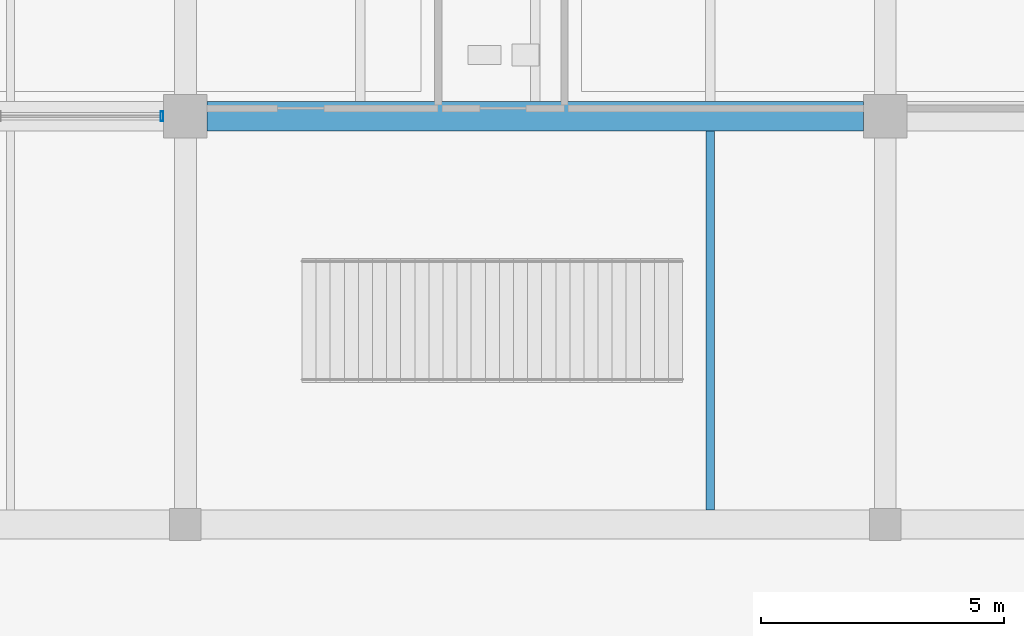
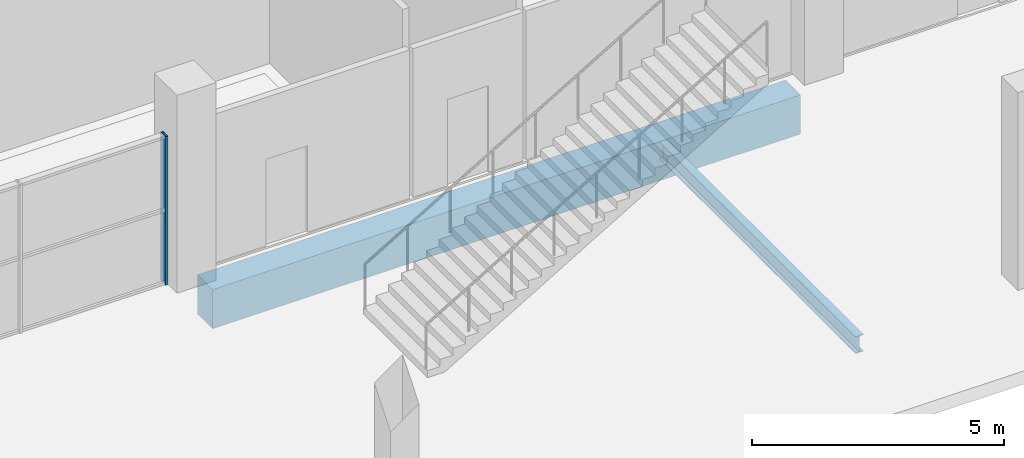
# One storey, part 53 of 130: 2 beams, 1 member, 1 element without a shape of its own.
"""IFC4 building model written with IfcOpenShell, lengths in metres."""

from ifc_helpers import new_model, si_unit, direction, frame, origin, origin_2d, place, context, subcontext, project, spatial, rectangle, hollow_rectangle, i_section, extrude, material, material_profile, profile_set, type_object, element, aggregate, save


model = new_model("IFC4")

# Units and contexts
model_context = context("Model", 3, precision=1e-05, world=origin(), true_north=direction((0.0, 1.0)))
body_context = subcontext(model_context, "Body", "Model", "MODEL_VIEW")
ifc_project = project(units=[si_unit("LENGTHUNIT", "METRE"), si_unit("AREAUNIT", "SQUARE_METRE"), si_unit("VOLUMEUNIT", "CUBIC_METRE"), si_unit("PLANEANGLEUNIT", "RADIAN"), si_unit("MASSUNIT", "GRAM", prefix="KILO"), si_unit("THERMODYNAMICTEMPERATUREUNIT", "KELVIN")], contexts=[model_context])

# Site, building, storey
site_placement = place(None, origin())
site = spatial("IfcSite", under=ifc_project, at=site_placement, CompositionType="ELEMENT")
building_placement = place(site_placement, origin())
building = spatial("IfcBuilding", under=site, at=building_placement, Name="Nduvali Passage Aquatics Centre", CompositionType="ELEMENT")
storey_placement = place(building_placement, origin())
storey = spatial("IfcBuildingStorey", under=building, at=storey_placement, Name="L00", CompositionType="ELEMENT", Elevation=0.0)

# Curtain wall, member
ifc_material_1 = material(Name="Aluminium EN AW-6063 T6", Category="aluminium")
curtain_wall_type = type_object("IfcCurtainWallType", Name="ENV-CW-HALL", PredefinedType="NOTDEFINED", material=ifc_material_1)
curtain_wall_placement = place(storey_placement, origin())
curtain_wall = element("IfcCurtainWall", 1, at=curtain_wall_placement, inside=storey, type_object=curtain_wall_type, Name="L00 North Pool Hall Hydro-Pool Screen 063", PredefinedType="NOTDEFINED")
ifc_material_profile_1 = material_profile(ifc_material_1, hollow_rectangle(XDim=0.06005859375, YDim=0.199951171875, WallThickness=0.00390625, at=origin_2d()), Name="ALU MULLION 60x200x4")
ifc_profile_set_1 = profile_set([ifc_material_profile_1], Name="Aluminium EN AW-6063 T6")
member_type = type_object("IfcMemberType", Name="ENV-MEM-MUL80", PredefinedType="MULLION", material=ifc_profile_set_1)
member_placement = place(storey_placement, frame((96.719970703125, 92.39990234375, 0.0), z_axis=(0.0, 0.0, 1.0), x_axis=(1.0, 0.0, 0.0)))
member = element("IfcMember", 2, at=member_placement, type_object=member_type, Name="North Pool Hall Hydro-Pool Screen Mullion 5", PredefinedType="MULLION", context=body_context, shape_type="SweptSolid", body=[
    extrude(hollow_rectangle(XDim=0.06005859375, YDim=0.199951171875, WallThickness=0.00390625, at=origin_2d()), origin(), (0.0, 0.0, 1.0), 3.605712890625),
])
aggregate(curtain_wall, [member])

# Beams
ifc_material_2 = material(Name="Concrete C40/50", Category="concrete")
ifc_material_profile_2 = material_profile(ifc_material_2, rectangle(XDim=0.60009765625, YDim=0.949951171875, at=origin_2d()), Name="RC 600x950")
ifc_profile_set_2 = profile_set([ifc_material_profile_2], Name="Concrete C40/50")
beam_type_1 = type_object("IfcBeamType", Name="STR-BM-RC6095-EXT", PredefinedType="BEAM", material=ifc_profile_set_2)
beam_1_placement = place(storey_placement, frame((97.64990234375, 92.39990234375, -0.794921875), z_axis=(1.0, 0.0, 0.0), x_axis=(0.0, 1.0, 0.0)))
element("IfcBeam", 3, at=beam_1_placement, inside=storey, type_object=beam_type_1, Name="L00 Primary X-Girder B1E-0090", PredefinedType="BEAM", context=body_context, shape_type="SweptSolid", body=[
    extrude(rectangle(XDim=0.60009765625, YDim=0.949951171875, at=origin_2d()), origin(), (0.0, 0.0, 1.0), 13.5),
])
ifc_material_3 = material(Name="Steel S355", Category="steel")
ifc_material_profile_3 = material_profile(ifc_material_3, i_section(OverallWidth=0.1787109375, OverallDepth=0.409423828125, WebThickness=0.0087890625, FlangeThickness=0.014404296875, FilletRadius=0.01025390625, at=origin_2d()), Name="UKB 406x178x67")
ifc_profile_set_3 = profile_set([ifc_material_profile_3], Name="Steel S355")
beam_type_2 = type_object("IfcBeamType", Name="STR-JST-UKB406", PredefinedType="JOIST", material=ifc_profile_set_3)
beam_2_placement = place(storey_placement, frame((108.0, 84.300048828125, -0.52880859375), z_axis=(0.0, 1.0, 0.0), x_axis=(-1.0, 0.0, 0.0)))
element("IfcBeam", 4, at=beam_2_placement, inside=storey, type_object=beam_type_2, Name="L00 Secondary Joist J1-0388", PredefinedType="JOIST", context=body_context, shape_type="SweptSolid", body=[
    extrude(i_section(OverallWidth=0.1787109375, OverallDepth=0.409423828125, WebThickness=0.0087890625, FlangeThickness=0.014404296875, FilletRadius=0.01025390625, at=origin_2d()), origin(), (0.0, 0.0, 1.0), 7.800048828125),
])

save(model, "model.ifc")
